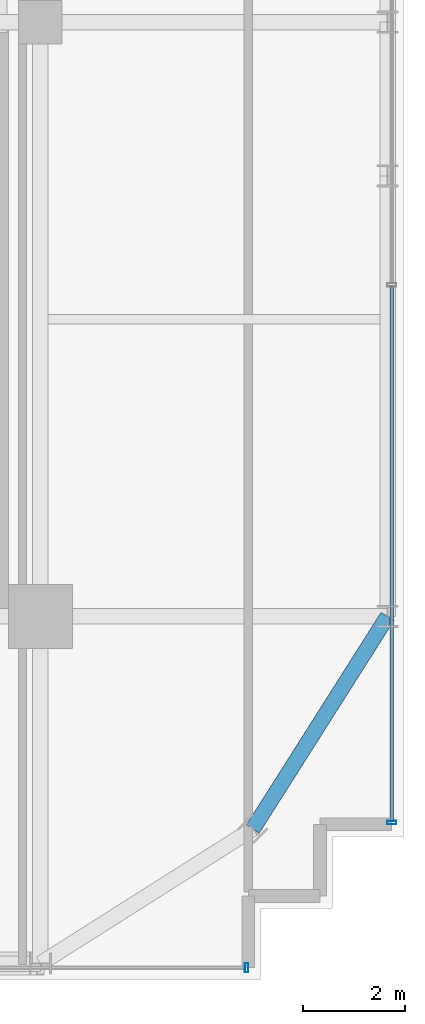
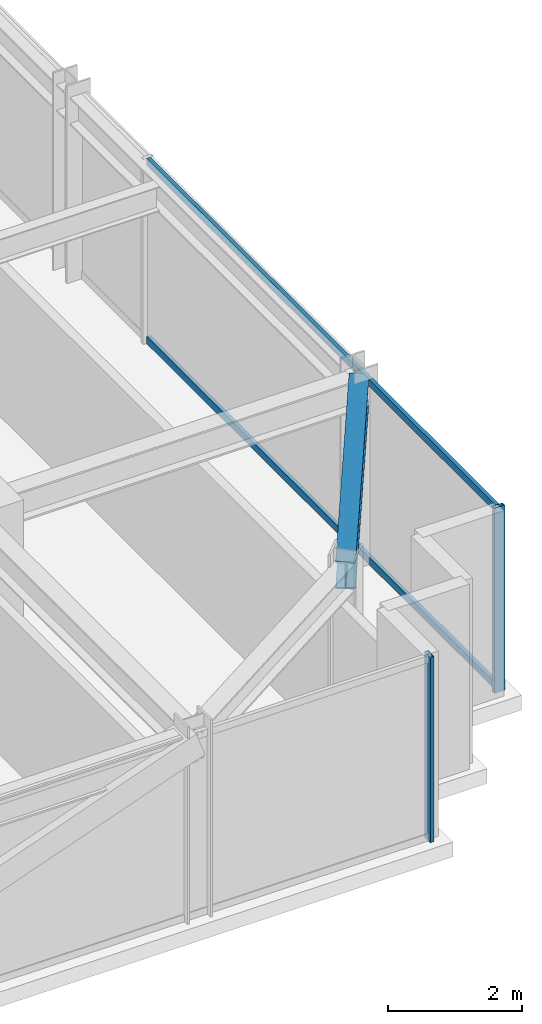
# One storey, part 12 of 35: 4 members, 1 beam, 2 elements without a shape of their own.
"""IFC4 building model written with IfcOpenShell, lengths in metres."""

from ifc_helpers import new_model, si_unit, direction, frame, origin, origin_2d, place, context, subcontext, project, spatial, hollow_rectangle, i_section, extrude, source, transform, mapped, material, material_profile, profile_set, type_object, element, aggregate, save


model = new_model("IFC4")

# Units and contexts
model_context = context("Model", 3, precision=1e-05, world=origin(), true_north=direction((0.0, 1.0)))
body_context = subcontext(model_context, "Body", "Model", "MODEL_VIEW")
ifc_project = project(units=[si_unit("LENGTHUNIT", "METRE"), si_unit("AREAUNIT", "SQUARE_METRE"), si_unit("VOLUMEUNIT", "CUBIC_METRE"), si_unit("PLANEANGLEUNIT", "RADIAN"), si_unit("MASSUNIT", "GRAM", prefix="KILO")], contexts=[model_context])

# Site, building, storey
site_placement = place(None, origin())
site = spatial("IfcSite", under=ifc_project, at=site_placement, CompositionType="ELEMENT")
building_placement = place(site_placement, origin())
building = spatial("IfcBuilding", under=site, at=building_placement, Name="Nahalor Promenade Grand Hotel", CompositionType="ELEMENT")
storey_placement = place(building_placement, frame((0.0, 0.0, 121.14990234375)))
storey = spatial("IfcBuildingStorey", under=building, at=storey_placement, Name="L30", CompositionType="ELEMENT", Elevation=121.14990234375)

# Beam
ifc_material_1 = material(Name="Steel S355JR", Category="steel")
ifc_material_profile_1 = material_profile(ifc_material_1, i_section(OverallWidth=0.3, OverallDepth=0.5, WebThickness=0.0145, FlangeThickness=0.028, at=origin_2d()), Name="HEB 500")
ifc_profile_set_1 = profile_set([ifc_material_profile_1], Name="Steel S355JR")
beam_type = type_object("IfcBeamType", Name="Beam-Spandrel-HEB500", PredefinedType="SPANDREL", material=ifc_profile_set_1)
shared_shape_1 = source(origin(), body_context, "Body", "SweptSolid", [
    extrude(i_section(OverallWidth=0.3, OverallDepth=0.5, WebThickness=0.0145, FlangeThickness=0.028, at=origin_2d()), origin(), (0.0, 0.0, 1.0), 4.9130859375),
])
beam_placement = place(storey_placement, frame((21.14990234375, -21.14990234375, 3.130126953125), z_axis=(0.535321591403, 0.844648325505, 0.0), x_axis=(-0.844648325505, 0.535321591403, 0.0)))
element("IfcBeam", 1, at=beam_placement, inside=storey, type_object=beam_type, Name="BM-L30-SPC-SE-2", PredefinedType="SPANDREL", context=body_context, shape_type="MappedRepresentation", body=[
    mapped(shared_shape_1, transform((0.0, 0.0, 0.0), scale=1.0)),
])

# Curtain wall, members
ifc_material_2 = material(Name="Anodised Bronze Aluminium EN AW-6063 T6", Category="aluminium")
curtain_wall_type = type_object("IfcCurtainWallType", Name="CW2 Typical Hotel Flush Bronze Unitised Curtain Wall", PredefinedType="USERDEFINED", material=ifc_material_2)
curtain_wall_1_placement = place(storey_placement, origin())
curtain_wall_1 = element("IfcCurtainWall", 2, at=curtain_wall_1_placement, inside=storey, type_object=curtain_wall_type, Name="L30 Curtain Wall CW-L30-E-1", ObjectType="UNITISED_CURTAIN_WALL", PredefinedType="USERDEFINED")
ifc_material_profile_2 = material_profile(ifc_material_2, hollow_rectangle(XDim=0.065, YDim=0.13, WallThickness=0.004, at=origin_2d()), Name="CWT 65x130x4")
ifc_profile_set_2 = profile_set([ifc_material_profile_2], Name="Anodised Bronze Aluminium EN AW-6063 T6")
member_type_1 = type_object("IfcMemberType", Name="CWT2 Typical Bronze Transom 65x130", PredefinedType="USERDEFINED", material=ifc_profile_set_2)
shared_shape_2 = source(origin(), body_context, "Body", "SweptSolid", [
    extrude(hollow_rectangle(XDim=0.065, YDim=0.13, WallThickness=0.004, at=origin_2d()), origin(), (0.0, 0.0, 1.0), 10.4326171875),
])
member_1_placement = place(storey_placement, frame((23.860107421875, -20.9951171875, 0.065185546875), z_axis=(0.0, 1.0, 0.0), x_axis=(-1.0, 0.0, 0.0)))
member_1 = element("IfcMember", 3, at=member_1_placement, type_object=member_type_1, Name="CW-L30-E-1 Transom 0-0", ObjectType="TRANSOM", PredefinedType="USERDEFINED", context=body_context, shape_type="MappedRepresentation", body=[
    mapped(shared_shape_2, transform((0.0, 0.0, 0.0), scale=1.0)),
])
member_2_placement = place(storey_placement, frame((23.860107421875, -20.9951171875, 3.315185546875), z_axis=(0.0, 1.0, 0.0), x_axis=(-1.0, 0.0, 0.0)))
member_2 = element("IfcMember", 4, at=member_2_placement, type_object=member_type_1, Name="CW-L30-E-1 Transom 0-1", ObjectType="TRANSOM", PredefinedType="USERDEFINED", context=body_context, shape_type="MappedRepresentation", body=[
    mapped(shared_shape_2, transform((0.0, 0.0, 0.0), scale=1.0)),
])

# Curtain wall, member
curtain_wall_2_placement = place(storey_placement, origin())
curtain_wall_2 = element("IfcCurtainWall", 5, at=curtain_wall_2_placement, inside=storey, type_object=curtain_wall_type, Name="L30 Curtain Wall CW-L30-S-1", ObjectType="UNITISED_CURTAIN_WALL", PredefinedType="USERDEFINED")
ifc_material_profile_3 = material_profile(ifc_material_2, hollow_rectangle(XDim=0.065, YDim=0.18, WallThickness=0.004, at=origin_2d()), Name="CWM 65x180x4")
ifc_profile_set_3 = profile_set([ifc_material_profile_3], Name="Anodised Bronze Aluminium EN AW-6063 T6")
member_type_2 = type_object("IfcMemberType", Name="CWM2 Typical Bronze Mullion 65x180", PredefinedType="MULLION", material=ifc_profile_set_3)
shared_shape_3 = source(origin(), body_context, "Body", "SweptSolid", [
    extrude(hollow_rectangle(XDim=0.065, YDim=0.18, WallThickness=0.004, at=origin_2d()), origin(), (0.0, 0.0, 1.0), 3.380126953125),
])
member_3_placement = place(storey_placement, frame((21.027587890625, -23.860107421875, 0.0), z_axis=(0.0, 0.0, 1.0), x_axis=(1.0, 0.0, 0.0)))
member_3 = element("IfcMember", 6, at=member_3_placement, type_object=member_type_2, Name="CW-L30-S-1 Mullion 4", PredefinedType="MULLION", context=body_context, shape_type="MappedRepresentation", body=[
    mapped(shared_shape_3, transform((0.0, 0.0, 0.0), scale=1.0)),
])
aggregate(curtain_wall_2, [member_3])

# Member
member_4_placement = place(storey_placement, frame((23.860107421875, -21.027587890625, 0.0), z_axis=(0.0, 0.0, 1.0), x_axis=(0.0, 1.0, 0.0)))
member_4 = element("IfcMember", 7, at=member_4_placement, type_object=member_type_2, Name="CW-L30-E-1 Mullion 0", PredefinedType="MULLION", context=body_context, shape_type="MappedRepresentation", body=[
    mapped(shared_shape_3, transform((0.0, 0.0, 0.0), scale=1.0)),
])

aggregate(curtain_wall_1, [member_4, member_1, member_2])

save(model, "model.ifc")
